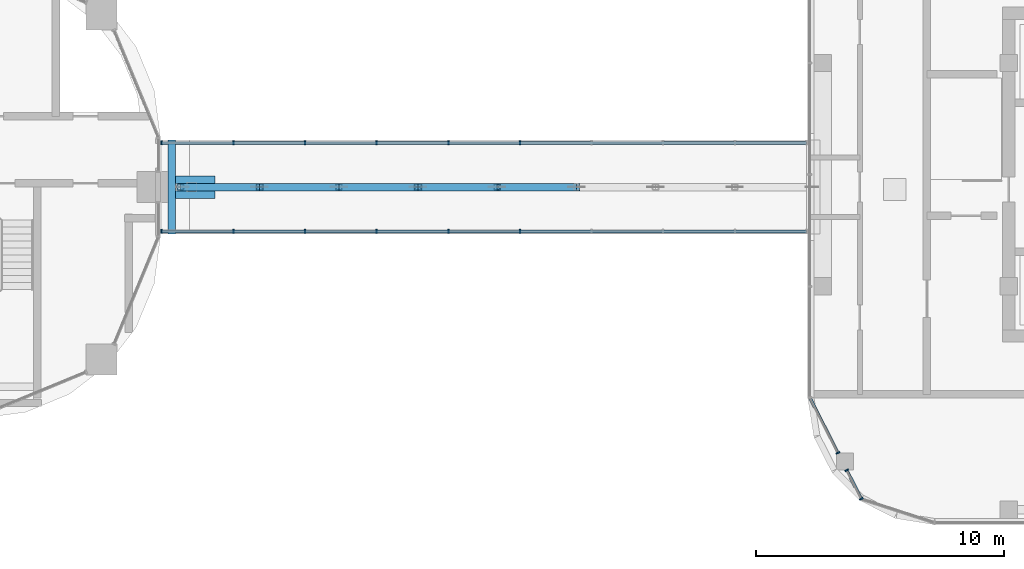
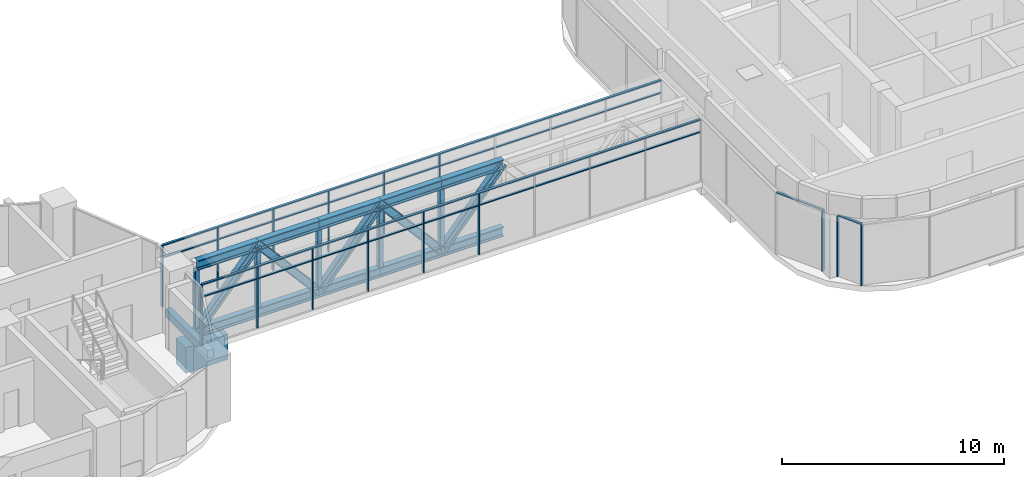
# One storey, part 7 of 33: 41 members, 2 beams, 4 elements without a shape of their own.
"""IFC4 building model written with IfcOpenShell, lengths in metres."""

import ifcopenshell
import ifcopenshell.guid

model = None  # the IFC model being written
_history = None  # IfcOwnerHistory: only IFC2X3 demands one
_inside = {}  # id of a spatial element -> (the spatial element, [elements in it])
_under = {}  # id of a project, library or spatial element -> (it, [spatial elements below it])
_declared = {}  # id of a project -> (the project, [libraries it declares])
_typed = {}  # id of a type object -> (the type object, [elements of that type])
_made_of = {}  # id of a material, layer set ... -> (it, [elements and type objects made of it])


def new_model(schema):
    """Start an empty IFC model of exactly this schema.

    Asked for "IFC4X3", IfcOpenShell would pick the latest addendum, in which some entities
    have other attributes; the version numbers below select the first issue.
    IFC2X3 requires an IfcOwnerHistory on every rooted entity: one is made here for all.
    """
    global model, _history
    if schema == "IFC4X3":
        model = ifcopenshell.file(schema_version=(4, 3, 0, 0))
    else:
        model = ifcopenshell.file(schema=schema)
    _inside.clear()
    _under.clear()
    _declared.clear()
    _typed.clear()
    _made_of.clear()
    _history = None
    if model.schema == "IFC2X3":
        org = make("IfcOrganization", Name="unknown")
        user = make(
            "IfcPersonAndOrganization",
            ThePerson=make("IfcPerson", FamilyName="unknown"),
            TheOrganization=org,
        )
        app = make(
            "IfcApplication",
            ApplicationDeveloper=org,
            Version="unknown",
            ApplicationFullName="unknown",
            ApplicationIdentifier="unknown",
        )
        _history = make(
            "IfcOwnerHistory",
            OwningUser=user,
            OwningApplication=app,
            ChangeAction="ADDED",
            CreationDate=0,
        )
    return model


def make(cls, **values):
    """One entity of the class cls with the attributes given. An attribute that is None is left unset."""
    return model.create_entity(
        cls, **{name: value for name, value in values.items() if value is not None}
    )


def rooted(cls, **values):
    """An entity with a GlobalId (a new one), such as an element, a storey or a relation."""
    return make(cls, GlobalId=ifcopenshell.guid.new(), OwnerHistory=_history, **values)


def si_unit(unit_type, name, prefix=None):
    """IfcSIUnit, for example si_unit("LENGTHUNIT", "METRE", prefix="MILLI")."""
    return make("IfcSIUnit", UnitType=unit_type, Prefix=prefix, Name=name)


def assignment(units):
    """IfcUnitAssignment: the units of a project."""
    return None if units is None else make("IfcUnitAssignment", Units=units)


def point(xyz):
    """IfcCartesianPoint."""
    return None if xyz is None else make("IfcCartesianPoint", Coordinates=xyz)


def direction(xyz):
    """IfcDirection."""
    return None if xyz is None else make("IfcDirection", DirectionRatios=xyz)


def frame(location, z_axis=None, x_axis=None):
    """IfcAxis2Placement3D, a coordinate frame: its origin and axes. An axis left out is left unset."""
    return make(
        "IfcAxis2Placement3D",
        Location=point(location),
        Axis=direction(z_axis),
        RefDirection=direction(x_axis),
    )


def frame_2d(location, x_axis=None):
    """IfcAxis2Placement2D, a coordinate frame in the plane: its origin and x axis."""
    return make(
        "IfcAxis2Placement2D", Location=point(location), RefDirection=direction(x_axis)
    )


def origin():
    """The frame at (0, 0, 0) with its axes left unset."""
    return frame((0.0, 0.0, 0.0))


def origin_2d():
    """The frame at (0, 0) in the plane with its x axis left unset."""
    return frame_2d((0.0, 0.0))


def place(relative_to, where):
    """IfcLocalPlacement: puts the frame where relative to a parent placement (None: the world)."""
    return make(
        "IfcLocalPlacement", PlacementRelTo=relative_to, RelativePlacement=where
    )


def context(
    kind, dimensions, precision=None, world=None, true_north=None, identifier=None
):
    """IfcGeometricRepresentationContext, for example the 3D "Model" context."""
    return make(
        "IfcGeometricRepresentationContext",
        ContextIdentifier=identifier,
        ContextType=kind,
        CoordinateSpaceDimension=dimensions,
        Precision=precision,
        WorldCoordinateSystem=world,
        TrueNorth=true_north,
    )


def subcontext(parent, identifier, kind, view, scale=None):
    """IfcGeometricRepresentationSubContext, for example "Body" below "Model"."""
    return make(
        "IfcGeometricRepresentationSubContext",
        ContextIdentifier=identifier,
        ContextType=kind,
        ParentContext=parent,
        TargetScale=scale,
        TargetView=view,
    )


def project(units=None, contexts=None):
    """IfcProject with its units and contexts."""
    return rooted(
        "IfcProject",
        Name="project",
        RepresentationContexts=contexts,
        UnitsInContext=assignment(units),
    )


def spatial(cls, under=None, at=None, **own):
    """A site, building, storey or space (cls), placed at a placement, below another one or the project."""
    s = rooted(cls, ObjectPlacement=at, **own)
    if under is not None:
        _under.setdefault(under.id(), (under, []))[1].append(s)
    return s


def profile(cls, at=None, kind="AREA", **sizes):
    """A parametric profile (cls). Its sizes go by their IFC names, for example OverallWidth=200.0."""
    return make(cls, ProfileType=kind, Position=at, **sizes)


def rectangle(**sizes):
    """IfcRectangleProfileDef."""
    return profile("IfcRectangleProfileDef", **sizes)


def hollow_rectangle(**sizes):
    """IfcRectangleHollowProfileDef."""
    return profile("IfcRectangleHollowProfileDef", **sizes)


def i_section(**sizes):
    """IfcIShapeProfileDef."""
    return profile("IfcIShapeProfileDef", **sizes)


def extrude(swept, where, along, depth):
    """IfcExtrudedAreaSolid: the profile swept, set in the frame where, extruded along a direction by depth."""
    return make(
        "IfcExtrudedAreaSolid",
        SweptArea=swept,
        Position=where,
        ExtrudedDirection=direction(along),
        Depth=depth,
    )


def shape(context_of_items, identifier, shape_type, items):
    """IfcShapeRepresentation: the items that make up one representation, for example the "Body"."""
    return make(
        "IfcShapeRepresentation",
        ContextOfItems=context_of_items,
        RepresentationIdentifier=identifier,
        RepresentationType=shape_type,
        Items=items,
    )


def material(Name=None, Category=None):
    """IfcMaterial."""
    return make("IfcMaterial", Name=Name, Category=Category)


def material_profile(
    of_material, cross_section, Name=None, Category=None, Priority=None
):
    """IfcMaterialProfile: a cross section and its material."""
    return make(
        "IfcMaterialProfile",
        Name=Name,
        Material=of_material,
        Profile=cross_section,
        Priority=Priority,
        Category=Category,
    )


def profile_set(profiles, Name=None, composite=None):
    """IfcMaterialProfileSet."""
    return make(
        "IfcMaterialProfileSet",
        Name=Name,
        MaterialProfiles=profiles,
        CompositeProfile=composite,
    )


def made_of(thing, what):
    """Note that an element or type object is made of a material, layer set ...; save() writes the relation."""
    if what is not None:
        _made_of.setdefault(what.id(), (what, []))[1].append(thing)
    return thing


def type_object(cls, material=None, **own):
    """A type object (cls), such as IfcWallType, which elements share."""
    return made_of(rooted(cls, **own), material)


def element(
    cls,
    number,
    at=None,
    inside=None,
    cuts=None,
    type_object=None,
    material=None,
    context=None,
    identifier="Body",
    shape_type=None,
    held_by="IfcProductDefinitionShape",
    body=None,
    shapes=None,
    **own,
):
    """One element of the class cls, such as IfcWall. Its Tag is "e" and its number.

    at: its placement. inside: the storey or other place that contains it. cuts: it is an
    opening in that element (IfcRelVoidsElement). A single representation is given by context,
    identifier, shape_type and body (its items); several are given by shapes. held_by: the class
    of the entity that holds the representations. save() writes the other relations.
    """
    e = rooted(cls, Tag="e%d" % number, ObjectPlacement=at, **own)
    if body is not None:
        shapes = [shape(context, identifier, shape_type, body)]
    if shapes is not None:
        e.Representation = make(held_by, Representations=shapes)
    if inside is not None:
        _inside.setdefault(inside.id(), (inside, []))[1].append(e)
    if cuts is not None:
        rooted(
            "IfcRelVoidsElement", RelatingBuildingElement=cuts, RelatedOpeningElement=e
        )
    if type_object is not None:
        _typed.setdefault(type_object.id(), (type_object, []))[1].append(e)
    return made_of(e, material)


def aggregate(whole, parts):
    """IfcRelAggregates: a whole, such as a stair, and the parts it consists of."""
    return rooted("IfcRelAggregates", RelatingObject=whole, RelatedObjects=parts)


def save(model, path):
    """Write the relations noted so far, then the file.

    IfcRelAggregates (storeys below a building ...), IfcRelContainedInSpatialStructure (elements
    in a storey), IfcRelDefinesByType, IfcRelAssociatesMaterial and IfcRelDeclares: one each for
    every whole, place, type object, material and project.
    """
    for whole, parts in _under.values():
        aggregate(whole, parts)
    for where, things in _inside.values():
        rooted(
            "IfcRelContainedInSpatialStructure",
            RelatedElements=things,
            RelatingStructure=where,
        )
    for kind, things in _typed.values():
        rooted("IfcRelDefinesByType", RelatedObjects=things, RelatingType=kind)
    for what, things in _made_of.values():
        rooted("IfcRelAssociatesMaterial", RelatedObjects=things, RelatingMaterial=what)
    for by, libraries in _declared.values():
        rooted("IfcRelDeclares", RelatingContext=by, RelatedDefinitions=libraries)
    model.write(path)


model = new_model("IFC4")

# Units and contexts
model_context = context("Model", 3, precision=1e-05, world=origin(), true_north=direction((0.0, 1.0)))
body_context = subcontext(model_context, "Body", "Model", "MODEL_VIEW")
ifc_project = project(units=[si_unit("LENGTHUNIT", "METRE"), si_unit("AREAUNIT", "SQUARE_METRE"), si_unit("VOLUMEUNIT", "CUBIC_METRE"), si_unit("PLANEANGLEUNIT", "RADIAN"), si_unit("MASSUNIT", "GRAM", prefix="KILO")], contexts=[model_context])

# Site, building, storey
site_placement = place(None, origin())
site = spatial("IfcSite", under=ifc_project, at=site_placement, CompositionType="ELEMENT")
building_placement = place(site_placement, origin())
building = spatial("IfcBuilding", under=site, at=building_placement, Name="Ogive Portal Towers", CompositionType="ELEMENT")
storey_placement = place(building_placement, frame((0.0, 0.0, 101.89990234375)))
storey = spatial("IfcBuildingStorey", under=building, at=storey_placement, Name="L24", CompositionType="ELEMENT", Elevation=101.89990234375)

# Members
ifc_material_1 = material(Name="Steel S355", Category="steel")
ifc_material_profile_1 = material_profile(ifc_material_1, i_section(OverallWidth=0.300048828125, OverallDepth=0.39990234375, WebThickness=0.013427734375, FlangeThickness=0.02392578125, FilletRadius=0.027099609375, at=origin_2d()), Name="HEB 400")
ifc_profile_set_1 = profile_set([ifc_material_profile_1], Name="Steel S355")
member_type_1 = type_object("IfcMemberType", Name="BRACE HEB 400", PredefinedType="BRACE", material=ifc_profile_set_1)
member_1_placement = place(storey_placement, frame((95.625, 30.5, -0.56201171875), z_axis=(0.653039451315, 0.0, 0.757323890437), x_axis=(0.0, 1.0, 0.0)))
element("IfcMember", 1, at=member_1_placement, inside=storey, type_object=member_type_1, Name="Glass corridor truss diagonal", PredefinedType="BRACE", context=body_context, shape_type="SweptSolid", body=[
    extrude(i_section(OverallWidth=0.300048828125, OverallDepth=0.39990234375, WebThickness=0.013427734375, FlangeThickness=0.02392578125, FilletRadius=0.027099609375, at=origin_2d()), origin(), (0.0, 0.0, 1.0), 4.885986328125),
])
member_2_placement = place(storey_placement, frame((98.815673828125, 30.5, 3.13818359375), z_axis=(0.653010790955, 0.0, -0.757348603284), x_axis=(0.0, 1.0, 0.0)))
element("IfcMember", 2, at=member_2_placement, inside=storey, type_object=member_type_1, Name="Glass corridor truss diagonal", PredefinedType="BRACE", context=body_context, shape_type="SweptSolid", body=[
    extrude(i_section(OverallWidth=0.300048828125, OverallDepth=0.39990234375, WebThickness=0.013427734375, FlangeThickness=0.02392578125, FilletRadius=0.027099609375, at=origin_2d()), origin(), (0.0, 0.0, 1.0), 4.8857421875),
])
member_3_placement = place(storey_placement, frame((102.006103515625, 30.5, -0.56201171875), z_axis=(0.653068108868, 0.0, 0.757299178119), x_axis=(0.0, 1.0, 0.0)))
element("IfcMember", 3, at=member_3_placement, inside=storey, type_object=member_type_1, Name="Glass corridor truss diagonal", PredefinedType="BRACE", context=body_context, shape_type="SweptSolid", body=[
    extrude(i_section(OverallWidth=0.300048828125, OverallDepth=0.39990234375, WebThickness=0.013427734375, FlangeThickness=0.02392578125, FilletRadius=0.027099609375, at=origin_2d()), origin(), (0.0, 0.0, 1.0), 4.885986328125),
])
member_4_placement = place(storey_placement, frame((105.197021484375, 30.5, 3.13818359375), z_axis=(0.653010790955, 0.0, -0.757348603284), x_axis=(0.0, 1.0, 0.0)))
element("IfcMember", 4, at=member_4_placement, inside=storey, type_object=member_type_1, Name="Glass corridor truss diagonal", PredefinedType="BRACE", context=body_context, shape_type="SweptSolid", body=[
    extrude(i_section(OverallWidth=0.300048828125, OverallDepth=0.39990234375, WebThickness=0.013427734375, FlangeThickness=0.02392578125, FilletRadius=0.027099609375, at=origin_2d()), origin(), (0.0, 0.0, 1.0), 4.8857421875),
])
member_5_placement = place(storey_placement, frame((108.387451171875, 30.5, -0.56201171875), z_axis=(0.653039451315, 0.0, 0.757323890437), x_axis=(0.0, 1.0, 0.0)))
element("IfcMember", 5, at=member_5_placement, inside=storey, type_object=member_type_1, Name="Glass corridor truss diagonal", PredefinedType="BRACE", context=body_context, shape_type="SweptSolid", body=[
    extrude(i_section(OverallWidth=0.300048828125, OverallDepth=0.39990234375, WebThickness=0.013427734375, FlangeThickness=0.02392578125, FilletRadius=0.027099609375, at=origin_2d()), origin(), (0.0, 0.0, 1.0), 4.885986328125),
])

# Beam
ifc_material_2 = material(Name="Concrete C40/50", Category="concrete")
ifc_material_profile_2 = material_profile(ifc_material_2, rectangle(XDim=0.300048828125, YDim=0.449951171875, at=origin_2d()), Name="RC 300x450")
ifc_profile_set_2 = profile_set([ifc_material_profile_2], Name="Concrete C40/50")
beam_type_1 = type_object("IfcBeamType", Name="BRIDGE END BEAM RC 300x450", PredefinedType="BEAM", material=ifc_profile_set_2)
beam_1_placement = place(storey_placement, frame((95.27490234375, 28.60009765625, -0.52490234375), z_axis=(0.0, 1.0, 0.0), x_axis=(-1.0, 0.0, 0.0)))
element("IfcBeam", 6, at=beam_1_placement, inside=storey, type_object=beam_type_1, Name="Glass corridor end beam", PredefinedType="BEAM", context=body_context, shape_type="SweptSolid", body=[
    extrude(rectangle(XDim=0.300048828125, YDim=0.449951171875, at=origin_2d()), origin(), (0.0, 0.0, 1.0), 3.7998046875),
])

# Members
ifc_material_profile_3 = material_profile(ifc_material_1, i_section(OverallWidth=0.305908203125, OverallDepth=0.52392578125, WebThickness=0.02099609375, FlangeThickness=0.0400390625, FilletRadius=0.027099609375, at=origin_2d()), Name="HEM 500")
ifc_profile_set_3 = profile_set([ifc_material_profile_3], Name="Steel S355")
member_type_2 = type_object("IfcMemberType", Name="CHORD HEM 500", PredefinedType="CHORD", material=ifc_profile_set_3)
for number, where, z_axis, x_axis, name in (
    (7, (95.625, 30.5, -0.56201171875), (1.0, 0.0, 0.0), (0.0, 1.0, 0.0), "Glass corridor truss bottom chord"),
    (8, (95.625, 30.5, 3.13818359375), (1.0, 0.0, 0.0), (0.0, 1.0, 0.0), "Glass corridor truss top chord"),
):
    element("IfcMember", number, at=place(storey_placement, frame(where, z_axis=z_axis, x_axis=x_axis)), inside=storey, type_object=member_type_2, Name=name, PredefinedType="CHORD", context=body_context, shape_type="SweptSolid", body=[
        extrude(i_section(OverallWidth=0.305908203125, OverallDepth=0.52392578125, WebThickness=0.02099609375, FlangeThickness=0.0400390625, FilletRadius=0.027099609375, at=origin_2d()), origin(), (0.0, 0.0, 1.0), 3.190673828125),
    ])
for number, where, z_axis, x_axis, name in (
    (9, (98.815673828125, 30.5, -0.56201171875), (1.0, 0.0, 0.0), (0.0, 1.0, 0.0), "Glass corridor truss bottom chord"),
    (10, (98.815673828125, 30.5, 3.13818359375), (1.0, 0.0, 0.0), (0.0, 1.0, 0.0), "Glass corridor truss top chord"),
):
    element("IfcMember", number, at=place(storey_placement, frame(where, z_axis=z_axis, x_axis=x_axis)), inside=storey, type_object=member_type_2, Name=name, PredefinedType="CHORD", context=body_context, shape_type="SweptSolid", body=[
        extrude(i_section(OverallWidth=0.305908203125, OverallDepth=0.52392578125, WebThickness=0.02099609375, FlangeThickness=0.0400390625, FilletRadius=0.027099609375, at=origin_2d()), origin(), (0.0, 0.0, 1.0), 3.1904296875),
    ])
for number, where, z_axis, x_axis, name in (
    (11, (102.006103515625, 30.5, -0.56201171875), (1.0, 0.0, 0.0), (0.0, 1.0, 0.0), "Glass corridor truss bottom chord"),
    (12, (102.006103515625, 30.5, 3.13818359375), (1.0, 0.0, 0.0), (0.0, 1.0, 0.0), "Glass corridor truss top chord"),
):
    element("IfcMember", number, at=place(storey_placement, frame(where, z_axis=z_axis, x_axis=x_axis)), inside=storey, type_object=member_type_2, Name=name, PredefinedType="CHORD", context=body_context, shape_type="SweptSolid", body=[
        extrude(i_section(OverallWidth=0.305908203125, OverallDepth=0.52392578125, WebThickness=0.02099609375, FlangeThickness=0.0400390625, FilletRadius=0.027099609375, at=origin_2d()), origin(), (0.0, 0.0, 1.0), 3.19091796875),
    ])
for number, where, z_axis, x_axis, name in (
    (13, (105.197021484375, 30.5, -0.56201171875), (1.0, 0.0, 0.0), (0.0, 1.0, 0.0), "Glass corridor truss bottom chord"),
    (14, (105.197021484375, 30.5, 3.13818359375), (1.0, 0.0, 0.0), (0.0, 1.0, 0.0), "Glass corridor truss top chord"),
):
    element("IfcMember", number, at=place(storey_placement, frame(where, z_axis=z_axis, x_axis=x_axis)), inside=storey, type_object=member_type_2, Name=name, PredefinedType="CHORD", context=body_context, shape_type="SweptSolid", body=[
        extrude(i_section(OverallWidth=0.305908203125, OverallDepth=0.52392578125, WebThickness=0.02099609375, FlangeThickness=0.0400390625, FilletRadius=0.027099609375, at=origin_2d()), origin(), (0.0, 0.0, 1.0), 3.1904296875),
    ])
for number, where, z_axis, x_axis, name in (
    (15, (108.387451171875, 30.5, -0.56201171875), (1.0, 0.0, 0.0), (0.0, 1.0, 0.0), "Glass corridor truss bottom chord"),
    (16, (108.387451171875, 30.5, 3.13818359375), (1.0, 0.0, 0.0), (0.0, 1.0, 0.0), "Glass corridor truss top chord"),
):
    element("IfcMember", number, at=place(storey_placement, frame(where, z_axis=z_axis, x_axis=x_axis)), inside=storey, type_object=member_type_2, Name=name, PredefinedType="CHORD", context=body_context, shape_type="SweptSolid", body=[
        extrude(i_section(OverallWidth=0.305908203125, OverallDepth=0.52392578125, WebThickness=0.02099609375, FlangeThickness=0.0400390625, FilletRadius=0.027099609375, at=origin_2d()), origin(), (0.0, 0.0, 1.0), 3.190673828125),
    ])

# Curtain wall, member
ifc_material_3 = material(Name="Glass, clear low-iron insulated glazing", Category="glass")
curtain_wall_type_1 = type_object("IfcCurtainWallType", Name="CW RESIDENCES RIBBON", PredefinedType="NOTDEFINED", material=ifc_material_3)
curtain_wall_1_placement = place(storey_placement, origin())
curtain_wall_1 = element("IfcCurtainWall", 17, at=curtain_wall_1_placement, inside=storey, type_object=curtain_wall_type_1, Name="B:L24:f00:cwa~0", PredefinedType="NOTDEFINED")
ifc_material_4 = material(Name="Aluminium 6063 anodised", Category="aluminium")
ifc_material_profile_4 = material_profile(ifc_material_4, rectangle(XDim=0.159912109375, YDim=0.06005859375, at=origin_2d()), Name="AL 60x160")
ifc_profile_set_4 = profile_set([ifc_material_profile_4], Name="Aluminium 6063 anodised")
member_type_3 = type_object("IfcMemberType", Name="CW MULLION 60x160", PredefinedType="MULLION", material=ifc_profile_set_4)
member_6_placement = place(storey_placement, frame((122.11474609375, 19.7919921875, 0.0), z_axis=(0.0, 0.0, 1.0), x_axis=(0.891006524188, 0.45399049974, 0.0)))
member_6 = element("IfcMember", 18, at=member_6_placement, type_object=member_type_3, Name="mullion", PredefinedType="MULLION", context=body_context, shape_type="SweptSolid", body=[
    extrude(rectangle(XDim=0.159912109375, YDim=0.06005859375, at=origin_2d()), origin(), (0.0, 0.0, 1.0), 3.340087890625),
])

# Curtain wall, members
curtain_wall_2_placement = place(storey_placement, origin())
curtain_wall_2 = element("IfcCurtainWall", 19, at=curtain_wall_2_placement, inside=storey, type_object=curtain_wall_type_1, Name="B:L24:f00:cwa~1", PredefinedType="NOTDEFINED")
member_7_placement = place(storey_placement, frame((122.471435546875, 19.092041015625, 0.0), z_axis=(0.0, 0.0, 1.0), x_axis=(0.891006524188, 0.45399049974, 0.0)))
member_7 = element("IfcMember", 20, at=member_7_placement, type_object=member_type_3, Name="mullion", PredefinedType="MULLION", context=body_context, shape_type="SweptSolid", body=[
    extrude(rectangle(XDim=0.159912109375, YDim=0.06005859375, at=origin_2d()), origin(), (0.0, 0.0, 1.0), 3.340087890625),
])
member_8_placement = place(storey_placement, frame((123.05859375, 17.93994140625, 0.0), z_axis=(0.0, 0.0, 1.0), x_axis=(0.891006524188, 0.45399049974, 0.0)))
member_8 = element("IfcMember", 21, at=member_8_placement, type_object=member_type_3, Name="mullion", PredefinedType="MULLION", context=body_context, shape_type="SweptSolid", body=[
    extrude(rectangle(XDim=0.159912109375, YDim=0.06005859375, at=origin_2d()), origin(), (0.0, 0.0, 1.0), 3.340087890625),
])

curtain_wall_type_2 = type_object("IfcCurtainWallType", Name="CW GLASS CORRIDOR", PredefinedType="NOTDEFINED", material=ifc_material_3)
curtain_wall_3_placement = place(storey_placement, origin())
curtain_wall_3 = element("IfcCurtainWall", 22, at=curtain_wall_3_placement, inside=storey, type_object=curtain_wall_type_2, Name="A:L24:glasscorr:s", PredefinedType="NOTDEFINED")
member_9_placement = place(storey_placement, frame((94.8701171875, 28.719970703125, 0.0), z_axis=(0.0, 0.0, 1.0), x_axis=(0.0, 1.0, 0.0)))
member_9 = element("IfcMember", 23, at=member_9_placement, type_object=member_type_3, Name="mullion", PredefinedType="MULLION", context=body_context, shape_type="SweptSolid", body=[
    extrude(rectangle(XDim=0.159912109375, YDim=0.06005859375, at=origin_2d()), origin(), (0.0, 0.0, 1.0), 3.340087890625),
])
member_10_placement = place(storey_placement, frame((97.756591796875, 28.719970703125, 0.0), z_axis=(0.0, 0.0, 1.0), x_axis=(0.0, 1.0, 0.0)))
member_10 = element("IfcMember", 24, at=member_10_placement, type_object=member_type_3, Name="mullion", PredefinedType="MULLION", context=body_context, shape_type="SweptSolid", body=[
    extrude(rectangle(XDim=0.159912109375, YDim=0.06005859375, at=origin_2d()), origin(), (0.0, 0.0, 1.0), 3.340087890625),
])
member_11_placement = place(storey_placement, frame((100.643310546875, 28.719970703125, 0.0), z_axis=(0.0, 0.0, 1.0), x_axis=(0.0, 1.0, 0.0)))
member_11 = element("IfcMember", 25, at=member_11_placement, type_object=member_type_3, Name="mullion", PredefinedType="MULLION", context=body_context, shape_type="SweptSolid", body=[
    extrude(rectangle(XDim=0.159912109375, YDim=0.06005859375, at=origin_2d()), origin(), (0.0, 0.0, 1.0), 3.340087890625),
])
member_12_placement = place(storey_placement, frame((103.530029296875, 28.719970703125, 0.0), z_axis=(0.0, 0.0, 1.0), x_axis=(0.0, 1.0, 0.0)))
member_12 = element("IfcMember", 26, at=member_12_placement, type_object=member_type_3, Name="mullion", PredefinedType="MULLION", context=body_context, shape_type="SweptSolid", body=[
    extrude(rectangle(XDim=0.159912109375, YDim=0.06005859375, at=origin_2d()), origin(), (0.0, 0.0, 1.0), 3.340087890625),
])
member_13_placement = place(storey_placement, frame((106.416748046875, 28.719970703125, 0.0), z_axis=(0.0, 0.0, 1.0), x_axis=(0.0, 1.0, 0.0)))
member_13 = element("IfcMember", 27, at=member_13_placement, type_object=member_type_3, Name="mullion", PredefinedType="MULLION", context=body_context, shape_type="SweptSolid", body=[
    extrude(rectangle(XDim=0.159912109375, YDim=0.06005859375, at=origin_2d()), origin(), (0.0, 0.0, 1.0), 3.340087890625),
])
member_14_placement = place(storey_placement, frame((109.30322265625, 28.719970703125, 0.0), z_axis=(0.0, 0.0, 1.0), x_axis=(0.0, 1.0, 0.0)))
member_14 = element("IfcMember", 28, at=member_14_placement, type_object=member_type_3, Name="mullion", PredefinedType="MULLION", context=body_context, shape_type="SweptSolid", body=[
    extrude(rectangle(XDim=0.159912109375, YDim=0.06005859375, at=origin_2d()), origin(), (0.0, 0.0, 1.0), 3.340087890625),
])

curtain_wall_4_placement = place(storey_placement, origin())
curtain_wall_4 = element("IfcCurtainWall", 29, at=curtain_wall_4_placement, inside=storey, type_object=curtain_wall_type_2, Name="A:L24:glasscorr:n", PredefinedType="NOTDEFINED")
member_15_placement = place(storey_placement, frame((94.8701171875, 32.280029296875, 0.0), z_axis=(0.0, 0.0, 1.0), x_axis=(0.0, 1.0, 0.0)))
member_15 = element("IfcMember", 30, at=member_15_placement, type_object=member_type_3, Name="mullion", PredefinedType="MULLION", context=body_context, shape_type="SweptSolid", body=[
    extrude(rectangle(XDim=0.159912109375, YDim=0.06005859375, at=origin_2d()), origin(), (0.0, 0.0, 1.0), 3.340087890625),
])
member_16_placement = place(storey_placement, frame((97.756591796875, 32.280029296875, 0.0), z_axis=(0.0, 0.0, 1.0), x_axis=(0.0, 1.0, 0.0)))
member_16 = element("IfcMember", 31, at=member_16_placement, type_object=member_type_3, Name="mullion", PredefinedType="MULLION", context=body_context, shape_type="SweptSolid", body=[
    extrude(rectangle(XDim=0.159912109375, YDim=0.06005859375, at=origin_2d()), origin(), (0.0, 0.0, 1.0), 3.340087890625),
])
member_17_placement = place(storey_placement, frame((100.643310546875, 32.280029296875, 0.0), z_axis=(0.0, 0.0, 1.0), x_axis=(0.0, 1.0, 0.0)))
member_17 = element("IfcMember", 32, at=member_17_placement, type_object=member_type_3, Name="mullion", PredefinedType="MULLION", context=body_context, shape_type="SweptSolid", body=[
    extrude(rectangle(XDim=0.159912109375, YDim=0.06005859375, at=origin_2d()), origin(), (0.0, 0.0, 1.0), 3.340087890625),
])
member_18_placement = place(storey_placement, frame((103.530029296875, 32.280029296875, 0.0), z_axis=(0.0, 0.0, 1.0), x_axis=(0.0, 1.0, 0.0)))
member_18 = element("IfcMember", 33, at=member_18_placement, type_object=member_type_3, Name="mullion", PredefinedType="MULLION", context=body_context, shape_type="SweptSolid", body=[
    extrude(rectangle(XDim=0.159912109375, YDim=0.06005859375, at=origin_2d()), origin(), (0.0, 0.0, 1.0), 3.340087890625),
])
member_19_placement = place(storey_placement, frame((106.416748046875, 32.280029296875, 0.0), z_axis=(0.0, 0.0, 1.0), x_axis=(0.0, 1.0, 0.0)))
member_19 = element("IfcMember", 34, at=member_19_placement, type_object=member_type_3, Name="mullion", PredefinedType="MULLION", context=body_context, shape_type="SweptSolid", body=[
    extrude(rectangle(XDim=0.159912109375, YDim=0.06005859375, at=origin_2d()), origin(), (0.0, 0.0, 1.0), 3.340087890625),
])
member_20_placement = place(storey_placement, frame((109.30322265625, 32.280029296875, 0.0), z_axis=(0.0, 0.0, 1.0), x_axis=(0.0, 1.0, 0.0)))
member_20 = element("IfcMember", 35, at=member_20_placement, type_object=member_type_3, Name="mullion", PredefinedType="MULLION", context=body_context, shape_type="SweptSolid", body=[
    extrude(rectangle(XDim=0.159912109375, YDim=0.06005859375, at=origin_2d()), origin(), (0.0, 0.0, 1.0), 3.340087890625),
])

# Member
ifc_material_profile_5 = material_profile(ifc_material_4, rectangle(XDim=0.1201171875, YDim=0.06005859375, at=origin_2d()), Name="AL 120x60")
ifc_profile_set_5 = profile_set([ifc_material_profile_5], Name="Aluminium 6063 anodised")
member_type_4 = type_object("IfcMemberType", Name="CW TRANSOM 60x120", PredefinedType="USERDEFINED", material=ifc_profile_set_5)
member_21_placement = place(storey_placement, frame((120.97998046875, 22.019287109375, 3.3701171875), z_axis=(0.453959432004, -0.891022353308, 0.0), x_axis=(0.891022353308, 0.453959432004, 0.0)))
member_21 = element("IfcMember", 36, at=member_21_placement, type_object=member_type_4, Name="transom", ObjectType="TRANSOM", PredefinedType="USERDEFINED", context=body_context, shape_type="SweptSolid", body=[
    extrude(rectangle(XDim=0.1201171875, YDim=0.06005859375, at=origin_2d()), origin(), (0.0, 0.0, 1.0), 2.499755859375),
])

aggregate(curtain_wall_1, [member_21, member_6])

member_22_placement = place(storey_placement, frame((122.471435546875, 19.092041015625, 3.3701171875), z_axis=(0.454072847858, -0.890964560933, 0.0), x_axis=(0.890964560933, 0.454072847858, 0.0)))
member_22 = element("IfcMember", 37, at=member_22_placement, type_object=member_type_4, Name="transom", ObjectType="TRANSOM", PredefinedType="USERDEFINED", context=body_context, shape_type="SweptSolid", body=[
    extrude(rectangle(XDim=0.1201171875, YDim=0.06005859375, at=origin_2d()), origin(), (0.0, 0.0, 1.0), 1.293212890625),
])

aggregate(curtain_wall_2, [member_22, member_7, member_8])

member_23_placement = place(storey_placement, frame((94.8701171875, 28.719970703125, 2.7001953125), z_axis=(1.0, 0.0, 0.0), x_axis=(0.0, 1.0, 0.0)))
member_23 = element("IfcMember", 38, at=member_23_placement, type_object=member_type_4, Name="transom", ObjectType="TRANSOM", PredefinedType="USERDEFINED", context=body_context, shape_type="SweptSolid", body=[
    extrude(rectangle(XDim=0.1201171875, YDim=0.06005859375, at=origin_2d()), origin(), (0.0, 0.0, 1.0), 25.97998046875),
])

member_24_placement = place(storey_placement, frame((94.8701171875, 28.719970703125, 3.3701171875), z_axis=(1.0, 0.0, 0.0), x_axis=(0.0, 1.0, 0.0)))
member_24 = element("IfcMember", 39, at=member_24_placement, type_object=member_type_4, Name="transom", ObjectType="TRANSOM", PredefinedType="USERDEFINED", context=body_context, shape_type="SweptSolid", body=[
    extrude(rectangle(XDim=0.1201171875, YDim=0.06005859375, at=origin_2d()), origin(), (0.0, 0.0, 1.0), 25.97998046875),
])

aggregate(curtain_wall_3, [member_23, member_24, member_9, member_10, member_11, member_12, member_13, member_14])

member_25_placement = place(storey_placement, frame((94.8701171875, 32.280029296875, 2.7001953125), z_axis=(1.0, 0.0, 0.0), x_axis=(0.0, 1.0, 0.0)))
member_25 = element("IfcMember", 40, at=member_25_placement, type_object=member_type_4, Name="transom", ObjectType="TRANSOM", PredefinedType="USERDEFINED", context=body_context, shape_type="SweptSolid", body=[
    extrude(rectangle(XDim=0.1201171875, YDim=0.06005859375, at=origin_2d()), origin(), (0.0, 0.0, 1.0), 25.97998046875),
])

member_26_placement = place(storey_placement, frame((94.8701171875, 32.280029296875, 3.3701171875), z_axis=(1.0, 0.0, 0.0), x_axis=(0.0, 1.0, 0.0)))
member_26 = element("IfcMember", 41, at=member_26_placement, type_object=member_type_4, Name="transom", ObjectType="TRANSOM", PredefinedType="USERDEFINED", context=body_context, shape_type="SweptSolid", body=[
    extrude(rectangle(XDim=0.1201171875, YDim=0.06005859375, at=origin_2d()), origin(), (0.0, 0.0, 1.0), 25.97998046875),
])

aggregate(curtain_wall_4, [member_25, member_26, member_15, member_16, member_17, member_18, member_19, member_20])

# Members
ifc_material_profile_6 = material_profile(ifc_material_1, hollow_rectangle(XDim=0.25, YDim=0.25, WallThickness=0.01611328125, InnerFilletRadius=0.02392578125, OuterFilletRadius=0.0400390625, at=origin_2d()), Name="SHS 250x250x16")
ifc_profile_set_6 = profile_set([ifc_material_profile_6], Name="Steel S355")
member_type_5 = type_object("IfcMemberType", Name="POST SHS 250x250x16", PredefinedType="POST", material=ifc_profile_set_6)
for number, where, z_axis, x_axis, name in (
    (42, (95.625, 30.5, -0.2998046875), (0.0, 0.0, 1.0), (1.0, 0.0, 0.0), "Glass corridor truss post"),
    (43, (98.815673828125, 30.5, -0.2998046875), (0.0, 0.0, 1.0), (1.0, 0.0, 0.0), "Glass corridor truss post"),
    (44, (102.006103515625, 30.5, -0.2998046875), (0.0, 0.0, 1.0), (1.0, 0.0, 0.0), "Glass corridor truss post"),
    (45, (105.197021484375, 30.5, -0.2998046875), (0.0, 0.0, 1.0), (1.0, 0.0, 0.0), "Glass corridor truss post"),
    (46, (108.387451171875, 30.5, -0.2998046875), (0.0, 0.0, 1.0), (1.0, 0.0, 0.0), "Glass corridor truss post"),
):
    element("IfcMember", number, at=place(storey_placement, frame(where, z_axis=z_axis, x_axis=x_axis)), inside=storey, type_object=member_type_5, Name=name, PredefinedType="POST", context=body_context, shape_type="SweptSolid", body=[
        extrude(hollow_rectangle(XDim=0.25, YDim=0.25, WallThickness=0.01611328125, InnerFilletRadius=0.02392578125, OuterFilletRadius=0.0400390625, at=origin_2d()), origin(), (0.0, 0.0, 1.0), 3.17578125),
    ])

# Beam
ifc_material_5 = material(Name="Concrete C50/60", Category="concrete")
ifc_material_profile_7 = material_profile(ifc_material_5, rectangle(XDim=0.89990234375, YDim=1.39990234375, at=origin_2d()), Name="RC 900x1400")
ifc_profile_set_7 = profile_set([ifc_material_profile_7], Name="Concrete C50/60")
beam_type_2 = type_object("IfcBeamType", Name="SEAT BEAM RC 900x1400", PredefinedType="BEAM", material=ifc_profile_set_7)
beam_2_placement = place(storey_placement, frame((94.824951171875, 30.5, -1.6240234375), z_axis=(1.0, 0.0, 0.0), x_axis=(0.0, 1.0, 0.0)))
element("IfcBeam", 47, at=beam_2_placement, inside=storey, type_object=beam_type_2, Name="Bridge seat", PredefinedType="BEAM", context=body_context, shape_type="SweptSolid", body=[
    extrude(rectangle(XDim=0.89990234375, YDim=1.39990234375, at=origin_2d()), origin(), (0.0, 0.0, 1.0), 2.199951171875),
])

save(model, "model.ifc")
